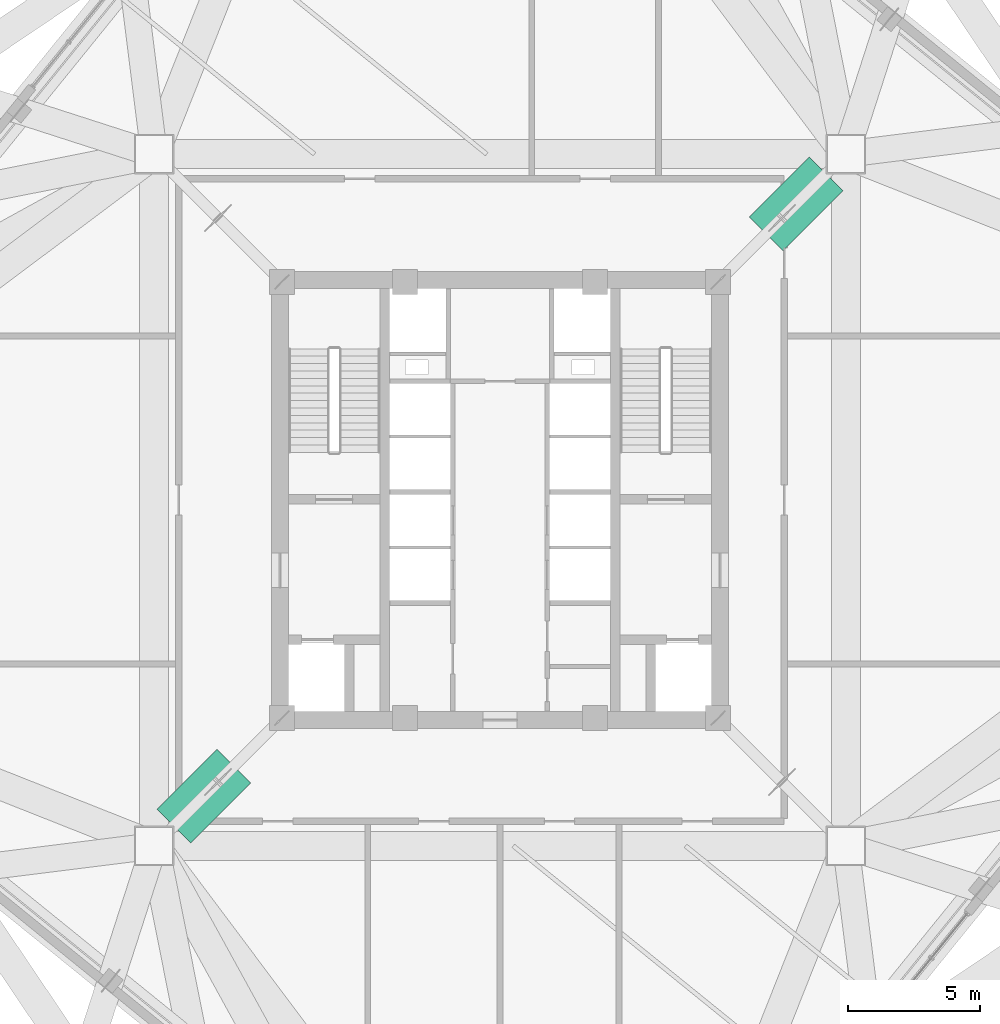
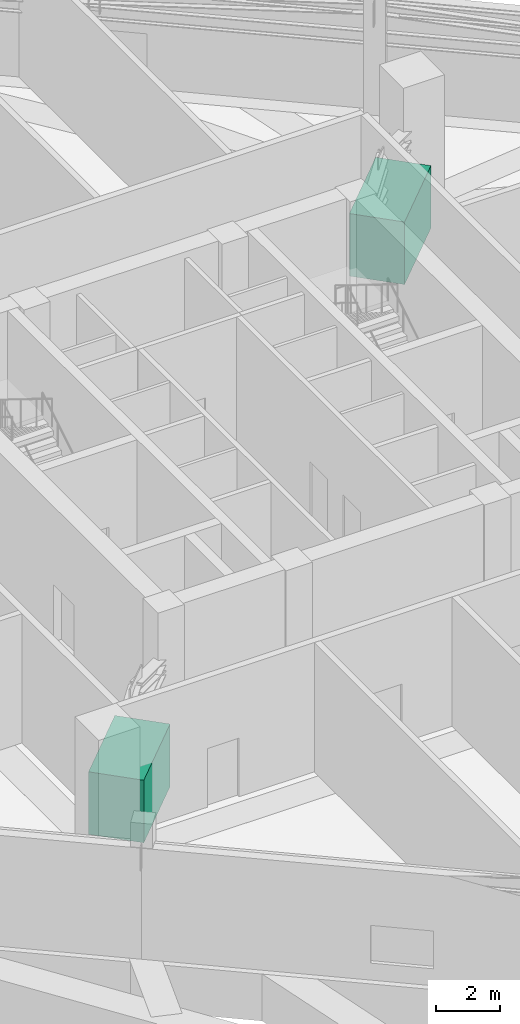
# One storey, part 22 of 22: 2 unitary equipment elements.
"""IFC4 building model written with IfcOpenShell, lengths in metres."""

from ifc_helpers import new_model, si_unit, direction, frame, origin, origin_2d, place, context, subcontext, project, spatial, rectangle, extrude, source, transform, mapped, material, type_object, element, save


model = new_model("IFC4")

# Units and contexts
model_context = context("Model", 3, precision=1e-05, world=origin(), true_north=direction((0.0, 1.0)))
body_context = subcontext(model_context, "Body", "Model", "MODEL_VIEW")
ifc_project = project(units=[si_unit("LENGTHUNIT", "METRE"), si_unit("AREAUNIT", "SQUARE_METRE"), si_unit("VOLUMEUNIT", "CUBIC_METRE"), si_unit("PLANEANGLEUNIT", "RADIAN"), si_unit("MASSUNIT", "GRAM", prefix="KILO"), si_unit("THERMODYNAMICTEMPERATUREUNIT", "KELVIN")], contexts=[model_context])

# Site, building, storey
site_placement = place(None, origin())
site = spatial("IfcSite", under=ifc_project, at=site_placement, CompositionType="ELEMENT")
building_placement = place(site_placement, origin())
building = spatial("IfcBuilding", under=site, at=building_placement, Name="Kosmvard Interchange Tower", CompositionType="ELEMENT")
storey_placement = place(building_placement, frame((0.0, 0.0, 200.39990234375)))
storey = spatial("IfcBuildingStorey", under=building, at=storey_placement, Name="L48", CompositionType="ELEMENT", Elevation=200.39990234375)

# Unitary equipment
ifc_material = material(Name="Steel S355", Category="steel")
unitary_equipment_type = type_object("IfcUnitaryEquipmentType", Name="Centrifugal Water-Cooled Chiller & Heat Recovery Unit", PredefinedType="USERDEFINED", material=ifc_material)
shared_shape = source(origin(), body_context, "Body", "SweptSolid", [
    extrude(rectangle(XDim=3.199951171875, YDim=1.800048828125, at=origin_2d()), origin(), (0.0, 0.0, 1.0), 2.39990234375),
])
for number, where, z_axis, x_axis, name in (
    (1, (11.199951171875, 11.199951171875, 0.000244140625), (0.0, 0.0, 1.0), (0.707106781187, 0.707106781187, 0.0), "L48 Zone Plant Unit CH1"),
    (2, (-11.199951171875, -11.199951171875, 0.000244140625), (0.0, 0.0, 1.0), (0.707106781187, 0.707106781187, 0.0), "L48 Zone Plant Unit AH1"),
):
    element("IfcUnitaryEquipment", number, at=place(storey_placement, frame(where, z_axis=z_axis, x_axis=x_axis)), inside=storey, type_object=unitary_equipment_type, Name=name, ObjectType="CHILLER", PredefinedType="USERDEFINED", context=body_context, shape_type="MappedRepresentation", body=[
        mapped(shared_shape, transform((0.0, 0.0, 0.0), scale=1.0)),
    ])

save(model, "model.ifc")
